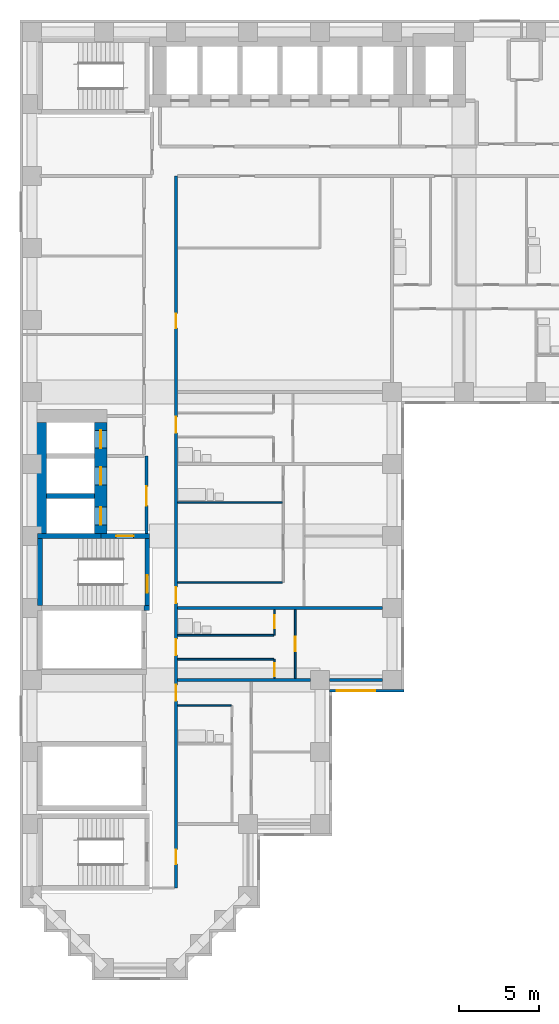
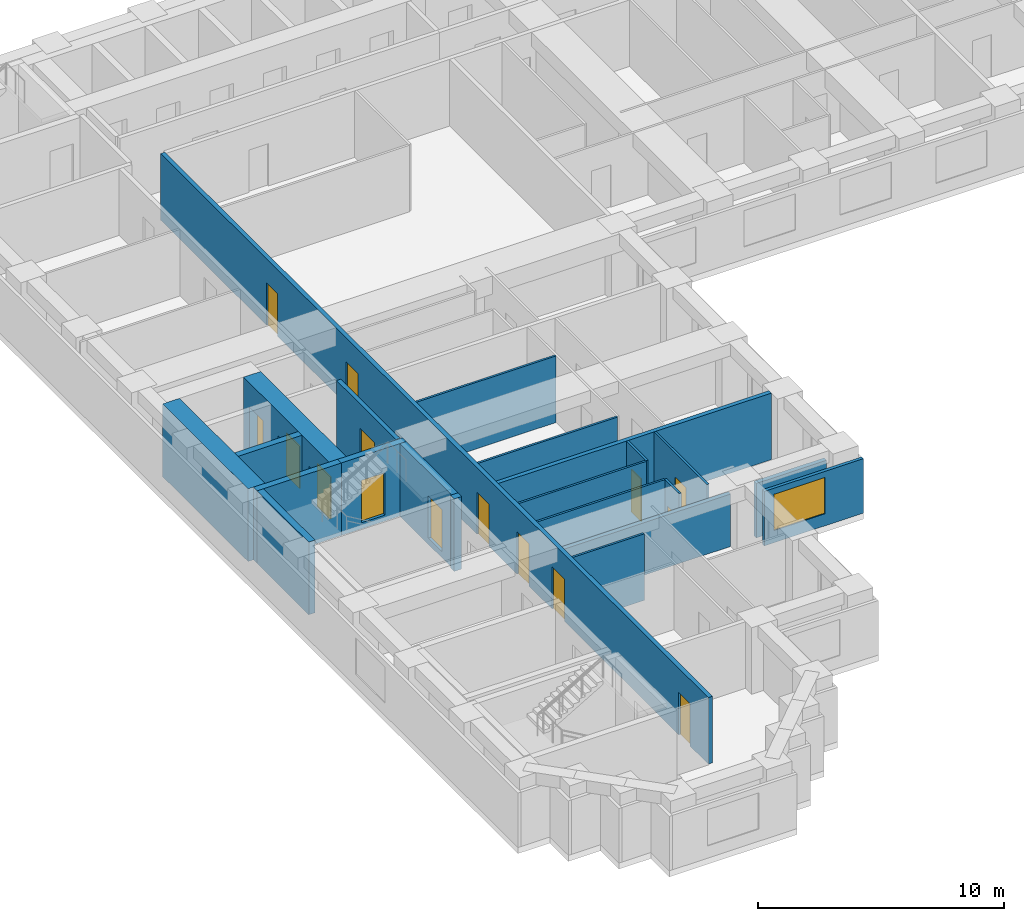
# One storey, part 3 of 12: 22 walls, 15 doors, 1 window, 16 openings.
"""IFC4 building model written with IfcOpenShell, lengths in metres."""

from ifc_helpers import new_model, si_unit, direction, frame, frame_2d, origin, place, context, subcontext, project, spatial, rectangle, extrude, material, layer, layer_set, type_object, element, fill, save


model = new_model("IFC4")

# Units and contexts
model_context = context("Model", 3, precision=1e-05, world=origin(), true_north=direction((0.0, 1.0)))
body_context = subcontext(model_context, "Body", "Model", "MODEL_VIEW")
ifc_project = project(units=[si_unit("LENGTHUNIT", "METRE"), si_unit("AREAUNIT", "SQUARE_METRE"), si_unit("VOLUMEUNIT", "CUBIC_METRE"), si_unit("PLANEANGLEUNIT", "RADIAN"), si_unit("MASSUNIT", "GRAM", prefix="KILO")], contexts=[model_context])

# Site, building, storey
site_placement = place(None, origin())
site = spatial("IfcSite", under=ifc_project, at=site_placement, CompositionType="ELEMENT")
building_placement = place(site_placement, origin())
building = spatial("IfcBuilding", under=site, at=building_placement, Name="Firuza Court", CompositionType="ELEMENT")
storey_placement = place(building_placement, frame((0.0, 0.0, 54.199951171875)))
storey = spatial("IfcBuildingStorey", under=building, at=storey_placement, Name="L12", CompositionType="ELEMENT", Elevation=54.199951171875)

# Walls
ifc_material_1 = material(Name="Moisture-resistant gypsum board partition")
ifc_layer_1 = layer(ifc_material_1, 0.10009765625)
ifc_layer_set_1 = layer_set([ifc_layer_1], Name="Moisture-resistant gypsum board partition")
wall_type_1 = type_object("IfcWallType", Name="Bathroom partition 100", PredefinedType="PLUMBINGWALL", material=ifc_layer_set_1)
wall_1_placement = place(storey_placement, frame((9.10009765625, 16.39990234375, 0.0), z_axis=(0.0, 0.0, 1.0), x_axis=(1.0, 0.0, 0.0)))
element("IfcWall", 1, at=wall_1_placement, inside=storey, type_object=wall_type_1, Name="Bathroom partition 100 L12", PredefinedType="PLUMBINGWALL", context=body_context, shape_type="SweptSolid", body=[
    extrude(rectangle(XDim=3.349853515625, YDim=0.10009765625, at=frame_2d((1.6748046875, 0.0))), origin(), (0.0, 0.0, 1.0), 3.300048828125),
])
wall_2_placement = place(storey_placement, frame((9.10009765625, 20.800048828125, 0.0), z_axis=(0.0, 0.0, 1.0), x_axis=(1.0, 0.0, 0.0)))
element("IfcWall", 2, at=wall_2_placement, inside=storey, type_object=wall_type_1, Name="Bathroom partition 100 L12", PredefinedType="PLUMBINGWALL", context=body_context, shape_type="SweptSolid", body=[
    extrude(rectangle(XDim=6.0, YDim=0.10009765625, at=frame_2d((3.0, 0.0))), origin(), (0.0, 0.0, 1.0), 3.300048828125),
])
wall_3_placement = place(storey_placement, frame((9.10009765625, 29.10009765625, 0.0), z_axis=(0.0, 0.0, 1.0), x_axis=(1.0, 0.0, 0.0)))
element("IfcWall", 3, at=wall_3_placement, inside=storey, type_object=wall_type_1, Name="Bathroom partition 100 L12", PredefinedType="PLUMBINGWALL", context=body_context, shape_type="SweptSolid", body=[
    extrude(rectangle(XDim=6.5498046875, YDim=0.10009765625, at=frame_2d((3.27490234375, 0.0))), origin(), (0.0, 0.0, 1.0), 3.300048828125),
])
ifc_material_2 = material(Name="Concrete C60/75", Category="concrete")
ifc_layer_2 = layer(ifc_material_2, 0.300048828125)
ifc_layer_set_2 = layer_set([ifc_layer_2], Name="Concrete C60/75")
wall_type_2 = type_object("IfcWallType", Name="Core wall 300 C60/75", PredefinedType="SHEAR", material=ifc_layer_set_2)
wall_4_placement = place(storey_placement, frame((0.35009765625, 27.0, -0.300048828125), z_axis=(0.0, 0.0, 1.0), x_axis=(1.0, 0.0, 0.0)))
element("IfcWall", 4, at=wall_4_placement, inside=storey, type_object=wall_type_2, Name="Core wall lift shaft L12", PredefinedType="SHEAR", context=body_context, shape_type="SweptSolid", body=[
    extrude(rectangle(XDim=3.949951171875, YDim=0.300048828125, at=frame_2d((1.97509765625, 0.0))), origin(), (0.0, 0.0, 1.0), 3.60009765625),
])
wall_5_placement = place(storey_placement, frame((0.5, 22.64990234375, -0.300048828125), z_axis=(0.0, 0.0, 1.0), x_axis=(0.0, 1.0, 0.0)))
element("IfcWall", 5, at=wall_5_placement, inside=storey, type_object=wall_type_2, Name="Core wall stair L12", PredefinedType="SHEAR", context=body_context, shape_type="SweptSolid", body=[
    extrude(rectangle(XDim=4.2001953125, YDim=0.300048828125, at=frame_2d((2.10009765625, 0.0))), origin(), (0.0, 0.0, 1.0), 3.60009765625),
])
wall_6_placement = place(storey_placement, frame((0.89990234375, 29.5, -0.300048828125), z_axis=(0.0, 0.0, 1.0), x_axis=(1.0, 0.0, 0.0)))
element("IfcWall", 6, at=wall_6_placement, inside=storey, type_object=wall_type_2, Name="Core wall lift shaft L12", PredefinedType="SHEAR", context=body_context, shape_type="SweptSolid", body=[
    extrude(rectangle(XDim=3.0, YDim=0.300048828125, at=frame_2d((1.5, 0.0))), origin(), (0.0, 0.0, 1.0), 3.60009765625),
])

# Wall, opening, door
wall_7_placement = place(storey_placement, frame((4.300048828125, 27.0, -0.300048828125), z_axis=(0.0, 0.0, 1.0), x_axis=(1.0, 0.0, 0.0)))
wall_7 = element("IfcWall", 7, at=wall_7_placement, inside=storey, type_object=wall_type_2, Name="Core wall stair L12", PredefinedType="SHEAR", context=body_context, shape_type="SweptSolid", body=[
    extrude(rectangle(XDim=3.050048828125, YDim=0.300048828125, at=frame_2d((1.52490234375, 0.0))), origin(), (0.0, 0.0, 1.0), 3.60009765625),
])
opening_1_placement = place(wall_7_placement, frame((0.949951171875, 0.0, 0.300048828125)))
opening_1 = element("IfcOpeningElement", 8, at=opening_1_placement, cuts=wall_7, Name="Opening D12014", PredefinedType="OPENING", context=body_context, shape_type="SweptSolid", body=[
    extrude(rectangle(XDim=1.10009765625, YDim=2.10009765625, at=frame_2d((0.550048828125, 1.050048828125))), frame((0.0, 0.162109375, 0.0), z_axis=(0.0, -1.0, 0.0), x_axis=(1.0, 0.0, 0.0)), (0.0, 0.0, 1.0), 0.323974609375),
])
ifc_material_3 = material(Name="Timber door leaf in hardwood frame", Category="wood")
door_type_1 = type_object("IfcDoorType", Name="Stair door 1100", OperationType="SINGLE_SWING_LEFT", PredefinedType="DOOR", material=ifc_material_3)
door_1_placement = place(opening_1_placement, frame((1.10009765625, 0.0, 0.0), z_axis=(0.0, 0.0, 1.0), x_axis=(-1.0, 0.0, 0.0)))
door_1 = element("IfcDoor", 9, at=door_1_placement, inside=storey, type_object=door_type_1, Name="Fire-fighting lobby door", OperationType="SINGLE_SWING_LEFT", OverallHeight=2.10009765625, OverallWidth=1.10009765625, PredefinedType="DOOR", context=body_context, shape_type="SweptSolid", body=[
    extrude(rectangle(XDim=1.10009765625, YDim=2.10009765625, at=frame_2d((0.550048828125, 1.050048828125))), frame((0.0, 0.02490234375, 0.0), z_axis=(0.0, -1.0, 0.0), x_axis=(1.0, 0.0, 0.0)), (0.0, 0.0, 1.0), 0.050048828125),
])
fill(opening_1, door_1)

# Wall
wall_8_placement = place(storey_placement, frame((7.0, 22.5, -0.300048828125), z_axis=(0.0, 0.0, 1.0), x_axis=(1.0, 0.0, 0.0)))
element("IfcWall", 10, at=wall_8_placement, inside=storey, type_object=wall_type_2, Name="Core wall stair L12", PredefinedType="SHEAR", context=body_context, shape_type="SweptSolid", body=[
    extrude(rectangle(XDim=0.35009765625, YDim=0.300048828125, at=frame_2d((0.175048828125, 0.0))), origin(), (0.0, 0.0, 1.0), 3.60009765625),
])

# Wall, opening, door
wall_9_placement = place(storey_placement, frame((7.199951171875, 22.64990234375, -0.300048828125), z_axis=(0.0, 0.0, 1.0), x_axis=(0.0, 1.0, 0.0)))
wall_9 = element("IfcWall", 11, at=wall_9_placement, inside=storey, type_object=wall_type_2, Name="Core wall stair L12", PredefinedType="SHEAR", context=body_context, shape_type="SweptSolid", body=[
    extrude(rectangle(XDim=4.2001953125, YDim=0.300048828125, at=frame_2d((2.10009765625, 0.0))), origin(), (0.0, 0.0, 1.0), 3.60009765625),
])
opening_2_placement = place(wall_9_placement, frame((0.800048828125, 0.0, 0.300048828125)))
opening_2 = element("IfcOpeningElement", 12, at=opening_2_placement, cuts=wall_9, Name="Opening D12015", PredefinedType="OPENING", context=body_context, shape_type="SweptSolid", body=[
    extrude(rectangle(XDim=1.10009765625, YDim=2.10009765625, at=frame_2d((0.550048828125, 1.050048828125))), frame((0.0, 0.162109375, 0.0), z_axis=(0.0, -1.0, 0.0), x_axis=(1.0, 0.0, 0.0)), (0.0, 0.0, 1.0), 0.323974609375),
])
door_2_placement = place(opening_2_placement, origin())
door_2 = element("IfcDoor", 13, at=door_2_placement, inside=storey, type_object=door_type_1, Name="Stair door S2", OperationType="SINGLE_SWING_LEFT", OverallHeight=2.10009765625, OverallWidth=1.10009765625, PredefinedType="DOOR", context=body_context, shape_type="SweptSolid", body=[
    extrude(rectangle(XDim=1.10009765625, YDim=2.10009765625, at=frame_2d((0.550048828125, 1.050048828125))), frame((0.0, 0.02490234375, 0.0), z_axis=(0.0, -1.0, 0.0), x_axis=(1.0, 0.0, 0.0)), (0.0, 0.0, 1.0), 0.050048828125),
])
fill(opening_2, door_2)

# Wall
ifc_layer_3 = layer(ifc_material_2, 0.800048828125)
ifc_layer_set_3 = layer_set([ifc_layer_3], Name="Concrete C60/75")
wall_type_3 = type_object("IfcWallType", Name="Core wall 800 C60/75", PredefinedType="SHEAR", material=ifc_layer_set_3)
wall_10_placement = place(storey_placement, frame((0.5, 27.14990234375, -0.300048828125), z_axis=(0.0, 0.0, 1.0), x_axis=(0.0, 1.0, 0.0)))
element("IfcWall", 14, at=wall_10_placement, inside=storey, type_object=wall_type_3, Name="Core wall lift shaft L12", PredefinedType="SHEAR", context=body_context, shape_type="SweptSolid", body=[
    extrude(rectangle(XDim=6.9501953125, YDim=0.800048828125, at=frame_2d((3.47509765625, 0.0))), origin(), (0.0, 0.0, 1.0), 3.60009765625),
])

# Wall, openings, doors
wall_11_placement = place(storey_placement, frame((4.300048828125, 27.14990234375, -0.300048828125), z_axis=(0.0, 0.0, 1.0), x_axis=(0.0, 1.0, 0.0)))
wall_11 = element("IfcWall", 15, at=wall_11_placement, inside=storey, type_object=wall_type_3, Name="Core wall lift shaft L12", PredefinedType="SHEAR", context=body_context, shape_type="SweptSolid", body=[
    extrude(rectangle(XDim=6.9501953125, YDim=0.800048828125, at=frame_2d((3.47509765625, 0.0))), origin(), (0.0, 0.0, 1.0), 3.60009765625),
])
opening_3_placement = place(wall_11_placement, frame((3.050048828125, 0.0, 0.300048828125)))
opening_3 = element("IfcOpeningElement", 16, at=opening_3_placement, cuts=wall_11, Name="Opening LD-FL1-12", PredefinedType="OPENING", context=body_context, shape_type="SweptSolid", body=[
    extrude(rectangle(XDim=1.10009765625, YDim=2.10009765625, at=frame_2d((0.550048828125, 1.050048828125))), frame((0.0, 0.412109375, 0.0), z_axis=(0.0, -1.0, 0.0), x_axis=(1.0, 0.0, 0.0)), (0.0, 0.0, 1.0), 0.823974609375),
])
opening_4_placement = place(wall_11_placement, frame((0.550048828125, 0.0, 0.300048828125)))
opening_4 = element("IfcOpeningElement", 17, at=opening_4_placement, cuts=wall_11, Name="Opening LD-FL2-12", PredefinedType="OPENING", context=body_context, shape_type="SweptSolid", body=[
    extrude(rectangle(XDim=1.10009765625, YDim=2.10009765625, at=frame_2d((0.550048828125, 1.050048828125))), frame((0.0, 0.412109375, 0.0), z_axis=(0.0, -1.0, 0.0), x_axis=(1.0, 0.0, 0.0)), (0.0, 0.0, 1.0), 0.823974609375),
])
opening_5_placement = place(wall_11_placement, frame((5.35009765625, 0.0, 0.300048828125)))
opening_5 = element("IfcOpeningElement", 18, at=opening_5_placement, cuts=wall_11, Name="Opening LD-SL1-12", PredefinedType="OPENING", context=body_context, shape_type="SweptSolid", body=[
    extrude(rectangle(XDim=1.10009765625, YDim=2.10009765625, at=frame_2d((0.550048828125, 1.050048828125))), frame((0.0, 0.412109375, 0.0), z_axis=(0.0, -1.0, 0.0), x_axis=(1.0, 0.0, 0.0)), (0.0, 0.0, 1.0), 0.823974609375),
])
ifc_material_4 = material(Name="Stainless steel 1.4301 door leaf", Category="steel")
door_type_2 = type_object("IfcDoorType", Name="Lift landing door 1100", OperationType="SLIDING_TO_LEFT", PredefinedType="DOOR", material=ifc_material_4)
door_3_placement = place(opening_3_placement, origin())
door_3 = element("IfcDoor", 19, at=door_3_placement, inside=storey, type_object=door_type_2, Name="Landing door FL1", OperationType="SLIDING_TO_LEFT", OverallHeight=2.10009765625, OverallWidth=1.10009765625, PredefinedType="DOOR", context=body_context, shape_type="SweptSolid", body=[
    extrude(rectangle(XDim=1.10009765625, YDim=2.10009765625, at=frame_2d((0.550048828125, 1.050048828125))), frame((0.0, 0.02490234375, 0.0), z_axis=(0.0, -1.0, 0.0), x_axis=(1.0, 0.0, 0.0)), (0.0, 0.0, 1.0), 0.050048828125),
])
fill(opening_3, door_3)
door_4_placement = place(opening_4_placement, origin())
door_4 = element("IfcDoor", 20, at=door_4_placement, inside=storey, type_object=door_type_2, Name="Landing door FL2", OperationType="SLIDING_TO_LEFT", OverallHeight=2.10009765625, OverallWidth=1.10009765625, PredefinedType="DOOR", context=body_context, shape_type="SweptSolid", body=[
    extrude(rectangle(XDim=1.10009765625, YDim=2.10009765625, at=frame_2d((0.550048828125, 1.050048828125))), frame((0.0, 0.02490234375, 0.0), z_axis=(0.0, -1.0, 0.0), x_axis=(1.0, 0.0, 0.0)), (0.0, 0.0, 1.0), 0.050048828125),
])
fill(opening_4, door_4)
door_5_placement = place(opening_5_placement, origin())
door_5 = element("IfcDoor", 21, at=door_5_placement, inside=storey, type_object=door_type_2, Name="Landing door SL1", OperationType="SLIDING_TO_LEFT", OverallHeight=2.10009765625, OverallWidth=1.10009765625, PredefinedType="DOOR", context=body_context, shape_type="SweptSolid", body=[
    extrude(rectangle(XDim=1.10009765625, YDim=2.10009765625, at=frame_2d((0.550048828125, 1.050048828125))), frame((0.0, 0.02490234375, 0.0), z_axis=(0.0, -1.0, 0.0), x_axis=(1.0, 0.0, 0.0)), (0.0, 0.0, 1.0), 0.050048828125),
])
fill(opening_5, door_5)

ifc_material_5 = material(Name="Blockwork, plastered both sides", Category="masonry")
ifc_layer_4 = layer(ifc_material_5, 0.199951171875)
ifc_layer_set_4 = layer_set([ifc_layer_4], Name="Blockwork, plastered both sides")
wall_type_4 = type_object("IfcWallType", Name="Corridor wall 200", PredefinedType="PARTITIONING", material=ifc_layer_set_4)
wall_12_placement = place(storey_placement, frame((9.0, 5.0, 0.0), z_axis=(0.0, 0.0, 1.0), x_axis=(0.0, 1.0, 0.0)))
wall_12 = element("IfcWall", 22, at=wall_12_placement, inside=storey, type_object=wall_type_4, Name="Corridor wall 200 L12", PredefinedType="PARTITIONING", context=body_context, shape_type="SweptSolid", body=[
    extrude(rectangle(XDim=44.5, YDim=0.199951171875, at=frame_2d((22.25, 0.0))), origin(), (0.0, 0.0, 1.0), 3.300048828125),
])
opening_6_placement = place(wall_12_placement, frame((28.449951171875, 0.0, 0.0)))
opening_6 = element("IfcOpeningElement", 23, at=opening_6_placement, cuts=wall_12, Name="Opening D12019", PredefinedType="OPENING", context=body_context, shape_type="SweptSolid", body=[
    extrude(rectangle(XDim=1.0, YDim=2.10009765625, at=frame_2d((0.5, 1.050048828125))), frame((0.0, 0.11181640625, 0.0), z_axis=(0.0, -1.0, 0.0), x_axis=(1.0, 0.0, 0.0)), (0.0, 0.0, 1.0), 0.223876953125),
])
opening_7_placement = place(wall_12_placement, frame((17.800048828125, 0.0, 0.0)))
opening_7 = element("IfcOpeningElement", 24, at=opening_7_placement, cuts=wall_12, Name="Opening D12020", PredefinedType="OPENING", context=body_context, shape_type="SweptSolid", body=[
    extrude(rectangle(XDim=1.0, YDim=2.10009765625, at=frame_2d((0.5, 1.050048828125))), frame((0.0, 0.11181640625, 0.0), z_axis=(0.0, -1.0, 0.0), x_axis=(1.0, 0.0, 0.0)), (0.0, 0.0, 1.0), 0.223876953125),
])
opening_8_placement = place(wall_12_placement, frame((14.550048828125, 0.0, 0.0)))
opening_8 = element("IfcOpeningElement", 25, at=opening_8_placement, cuts=wall_12, Name="Opening D12021", PredefinedType="OPENING", context=body_context, shape_type="SweptSolid", body=[
    extrude(rectangle(XDim=1.0, YDim=2.10009765625, at=frame_2d((0.5, 1.050048828125))), frame((0.0, 0.11181640625, 0.0), z_axis=(0.0, -1.0, 0.0), x_axis=(1.0, 0.0, 0.0)), (0.0, 0.0, 1.0), 0.223876953125),
])
opening_9_placement = place(wall_12_placement, frame((11.699951171875, 0.0, 0.0)))
opening_9 = element("IfcOpeningElement", 26, at=opening_9_placement, cuts=wall_12, Name="Opening D12022", PredefinedType="OPENING", context=body_context, shape_type="SweptSolid", body=[
    extrude(rectangle(XDim=1.0, YDim=2.10009765625, at=frame_2d((0.5, 1.050048828125))), frame((0.0, 0.11181640625, 0.0), z_axis=(0.0, -1.0, 0.0), x_axis=(1.0, 0.0, 0.0)), (0.0, 0.0, 1.0), 0.223876953125),
])
opening_10_placement = place(wall_12_placement, frame((35.0, 0.0, 0.0)))
opening_10 = element("IfcOpeningElement", 27, at=opening_10_placement, cuts=wall_12, Name="Opening D12023", PredefinedType="OPENING", context=body_context, shape_type="SweptSolid", body=[
    extrude(rectangle(XDim=0.89990234375, YDim=2.10009765625, at=frame_2d((0.449951171875, 1.050048828125))), frame((0.0, 0.11181640625, 0.0), z_axis=(0.0, -1.0, 0.0), x_axis=(1.0, 0.0, 0.0)), (0.0, 0.0, 1.0), 0.223876953125),
])
opening_11_placement = place(wall_12_placement, frame((1.5, 0.0, 0.0)))
opening_11 = element("IfcOpeningElement", 28, at=opening_11_placement, cuts=wall_12, Name="Opening D12024", PredefinedType="OPENING", context=body_context, shape_type="SweptSolid", body=[
    extrude(rectangle(XDim=0.89990234375, YDim=2.10009765625, at=frame_2d((0.449951171875, 1.050048828125))), frame((0.0, 0.11181640625, 0.0), z_axis=(0.0, -1.0, 0.0), x_axis=(1.0, 0.0, 0.0)), (0.0, 0.0, 1.0), 0.223876953125),
])
ifc_material_6 = material(Name="Timber door leaf in hardwood frame", Category="wood")
door_type_3 = type_object("IfcDoorType", Name="Flat entrance door 1000", OperationType="SINGLE_SWING_LEFT", PredefinedType="DOOR", material=ifc_material_6)
door_6_placement = place(opening_6_placement, origin())
door_6 = element("IfcDoor", 29, at=door_6_placement, inside=storey, type_object=door_type_3, Name="Flat entrance door", OperationType="SINGLE_SWING_LEFT", OverallHeight=2.10009765625, OverallWidth=1.0, PredefinedType="DOOR", context=body_context, shape_type="SweptSolid", body=[
    extrude(rectangle(XDim=1.0, YDim=2.10009765625, at=frame_2d((0.5, 1.050048828125))), frame((0.0, 0.02490234375, 0.0), z_axis=(0.0, -1.0, 0.0), x_axis=(1.0, 0.0, 0.0)), (0.0, 0.0, 1.0), 0.050048828125),
])
fill(opening_6, door_6)
door_7_placement = place(opening_7_placement, origin())
door_7 = element("IfcDoor", 30, at=door_7_placement, inside=storey, type_object=door_type_3, Name="Flat entrance door", OperationType="SINGLE_SWING_LEFT", OverallHeight=2.10009765625, OverallWidth=1.0, PredefinedType="DOOR", context=body_context, shape_type="SweptSolid", body=[
    extrude(rectangle(XDim=1.0, YDim=2.10009765625, at=frame_2d((0.5, 1.050048828125))), frame((0.0, 0.02490234375, 0.0), z_axis=(0.0, -1.0, 0.0), x_axis=(1.0, 0.0, 0.0)), (0.0, 0.0, 1.0), 0.050048828125),
])
fill(opening_7, door_7)
door_8_placement = place(opening_8_placement, origin())
door_8 = element("IfcDoor", 31, at=door_8_placement, inside=storey, type_object=door_type_3, Name="Flat entrance door", OperationType="SINGLE_SWING_LEFT", OverallHeight=2.10009765625, OverallWidth=1.0, PredefinedType="DOOR", context=body_context, shape_type="SweptSolid", body=[
    extrude(rectangle(XDim=1.0, YDim=2.10009765625, at=frame_2d((0.5, 1.050048828125))), frame((0.0, 0.02490234375, 0.0), z_axis=(0.0, -1.0, 0.0), x_axis=(1.0, 0.0, 0.0)), (0.0, 0.0, 1.0), 0.050048828125),
])
fill(opening_8, door_8)
door_9_placement = place(opening_9_placement, origin())
door_9 = element("IfcDoor", 32, at=door_9_placement, inside=storey, type_object=door_type_3, Name="Flat entrance door", OperationType="SINGLE_SWING_LEFT", OverallHeight=2.10009765625, OverallWidth=1.0, PredefinedType="DOOR", context=body_context, shape_type="SweptSolid", body=[
    extrude(rectangle(XDim=1.0, YDim=2.10009765625, at=frame_2d((0.5, 1.050048828125))), frame((0.0, 0.02490234375, 0.0), z_axis=(0.0, -1.0, 0.0), x_axis=(1.0, 0.0, 0.0)), (0.0, 0.0, 1.0), 0.050048828125),
])
fill(opening_9, door_9)
ifc_material_7 = material(Name="Timber door leaf in hardwood frame", Category="wood")
door_type_4 = type_object("IfcDoorType", Name="Room door 900 EI 30", OperationType="SINGLE_SWING_LEFT", PredefinedType="DOOR", material=ifc_material_7)
door_10_placement = place(opening_10_placement, origin())
door_10 = element("IfcDoor", 33, at=door_10_placement, inside=storey, type_object=door_type_4, Name="Yoga studio door", OperationType="SINGLE_SWING_LEFT", OverallHeight=2.10009765625, OverallWidth=0.89990234375, PredefinedType="DOOR", context=body_context, shape_type="SweptSolid", body=[
    extrude(rectangle(XDim=0.89990234375, YDim=2.10009765625, at=frame_2d((0.449951171875, 1.050048828125))), frame((0.0, 0.02490234375, 0.0), z_axis=(0.0, -1.0, 0.0), x_axis=(1.0, 0.0, 0.0)), (0.0, 0.0, 1.0), 0.050048828125),
])
fill(opening_10, door_10)
door_11_placement = place(opening_11_placement, origin())
door_11 = element("IfcDoor", 34, at=door_11_placement, inside=storey, type_object=door_type_4, Name="Yoga studio door", OperationType="SINGLE_SWING_LEFT", OverallHeight=2.10009765625, OverallWidth=0.89990234375, PredefinedType="DOOR", context=body_context, shape_type="SweptSolid", body=[
    extrude(rectangle(XDim=0.89990234375, YDim=2.10009765625, at=frame_2d((0.449951171875, 1.050048828125))), frame((0.0, 0.02490234375, 0.0), z_axis=(0.0, -1.0, 0.0), x_axis=(1.0, 0.0, 0.0)), (0.0, 0.0, 1.0), 0.050048828125),
])
fill(opening_11, door_11)

# Wall, opening, door
ifc_material_8 = material(Name="Timber stud partition, plasterboard both sides", Category="wood")
ifc_layer_5 = layer(ifc_material_8, 0.10009765625)
ifc_layer_set_5 = layer_set([ifc_layer_5], Name="Timber stud partition, plasterboard both sides")
wall_type_5 = type_object("IfcWallType", Name="Partition wall 100", PredefinedType="PARTITIONING", material=ifc_layer_set_5)
wall_13_placement = place(storey_placement, frame((15.14990234375, 18.10009765625, 0.0), z_axis=(0.0, 0.0, 1.0), x_axis=(0.0, 1.0, 0.0)))
wall_13 = element("IfcWall", 35, at=wall_13_placement, inside=storey, type_object=wall_type_5, Name="Partition wall 100 L12", PredefinedType="PARTITIONING", context=body_context, shape_type="SweptSolid", body=[
    extrude(rectangle(XDim=1.199951171875, YDim=0.10009765625, at=frame_2d((0.60009765625, 0.0))), origin(), (0.0, 0.0, 1.0), 3.300048828125),
])
opening_12_placement = place(wall_13_placement, frame((0.14990234375, 0.0, 0.0)))
opening_12 = element("IfcOpeningElement", 36, at=opening_12_placement, cuts=wall_13, Name="Opening D12030", PredefinedType="OPENING", context=body_context, shape_type="SweptSolid", body=[
    extrude(rectangle(XDim=0.800048828125, YDim=2.10009765625, at=frame_2d((0.39990234375, 1.050048828125))), frame((0.0, 0.06201171875, 0.0), z_axis=(0.0, -1.0, 0.0), x_axis=(1.0, 0.0, 0.0)), (0.0, 0.0, 1.0), 0.1240234375),
])
ifc_material_9 = material(Name="Timber door leaf in hardwood frame", Category="wood")
door_type_5 = type_object("IfcDoorType", Name="Room door 800", OperationType="SINGLE_SWING_LEFT", PredefinedType="DOOR", material=ifc_material_9)
door_12_placement = place(opening_12_placement, origin())
door_12 = element("IfcDoor", 37, at=door_12_placement, inside=storey, type_object=door_type_5, Name="Kitchen door", OperationType="SINGLE_SWING_LEFT", OverallHeight=2.10009765625, OverallWidth=0.800048828125, PredefinedType="DOOR", context=body_context, shape_type="SweptSolid", body=[
    extrude(rectangle(XDim=0.800048828125, YDim=2.10009765625, at=frame_2d((0.39990234375, 1.050048828125))), frame((0.0, 0.02490234375, 0.0), z_axis=(0.0, -1.0, 0.0), x_axis=(1.0, 0.0, 0.0)), (0.0, 0.0, 1.0), 0.050048828125),
])
fill(opening_12, door_12)

wall_14_placement = place(storey_placement, frame((16.449951171875, 18.10009765625, 0.0), z_axis=(0.0, 0.0, 1.0), x_axis=(0.0, 1.0, 0.0)))
wall_14 = element("IfcWall", 38, at=wall_14_placement, inside=storey, type_object=wall_type_5, Name="Partition wall 100 L12", PredefinedType="PARTITIONING", context=body_context, shape_type="SweptSolid", body=[
    extrude(rectangle(XDim=4.2998046875, YDim=0.10009765625, at=frame_2d((2.14990234375, 0.0))), origin(), (0.0, 0.0, 1.0), 3.300048828125),
])
opening_13_placement = place(wall_14_placement, frame((1.699951171875, 0.0, 0.0)))
opening_13 = element("IfcOpeningElement", 39, at=opening_13_placement, cuts=wall_14, Name="Opening D12031", PredefinedType="OPENING", context=body_context, shape_type="SweptSolid", body=[
    extrude(rectangle(XDim=0.89990234375, YDim=2.10009765625, at=frame_2d((0.449951171875, 1.050048828125))), frame((0.0, 0.06201171875, 0.0), z_axis=(0.0, -1.0, 0.0), x_axis=(1.0, 0.0, 0.0)), (0.0, 0.0, 1.0), 0.1240234375),
])
ifc_material_10 = material(Name="Timber door leaf in hardwood frame", Category="wood")
door_type_6 = type_object("IfcDoorType", Name="Room door 900", OperationType="SINGLE_SWING_LEFT", PredefinedType="DOOR", material=ifc_material_10)
door_13_placement = place(opening_13_placement, frame((0.89990234375, 0.0, 0.0), z_axis=(0.0, 0.0, 1.0), x_axis=(-1.0, 0.0, 0.0)))
door_13 = element("IfcDoor", 40, at=door_13_placement, inside=storey, type_object=door_type_6, Name="Studio room door", OperationType="SINGLE_SWING_RIGHT", OverallHeight=2.10009765625, OverallWidth=0.89990234375, PredefinedType="DOOR", context=body_context, shape_type="SweptSolid", body=[
    extrude(rectangle(XDim=0.89990234375, YDim=2.10009765625, at=frame_2d((0.449951171875, 1.050048828125))), frame((0.0, 0.02490234375, 0.0), z_axis=(0.0, -1.0, 0.0), x_axis=(1.0, 0.0, 0.0)), (0.0, 0.0, 1.0), 0.050048828125),
])
fill(opening_13, door_13)

# Wall
wall_15_placement = place(storey_placement, frame((9.10009765625, 19.300048828125, 0.0), z_axis=(0.0, 0.0, 1.0), x_axis=(1.0, 0.0, 0.0)))
element("IfcWall", 41, at=wall_15_placement, inside=storey, type_object=wall_type_5, Name="Partition wall 100 L12", PredefinedType="PARTITIONING", context=body_context, shape_type="SweptSolid", body=[
    extrude(rectangle(XDim=6.0, YDim=0.10009765625, at=frame_2d((3.0, 0.0))), origin(), (0.0, 0.0, 1.0), 3.300048828125),
])

# Wall, opening, door
wall_16_placement = place(storey_placement, frame((15.14990234375, 20.800048828125, 0.0), z_axis=(0.0, 0.0, 1.0), x_axis=(0.0, 1.0, 0.0)))
wall_16 = element("IfcWall", 42, at=wall_16_placement, inside=storey, type_object=wall_type_5, Name="Partition wall 100 L12", PredefinedType="PARTITIONING", context=body_context, shape_type="SweptSolid", body=[
    extrude(rectangle(XDim=1.599853515625, YDim=0.10009765625, at=frame_2d((0.7998046875, 0.0))), origin(), (0.0, 0.0, 1.0), 3.300048828125),
])
opening_14_placement = place(wall_16_placement, frame((0.449951171875, 0.0, 0.0)))
opening_14 = element("IfcOpeningElement", 43, at=opening_14_placement, cuts=wall_16, Name="Opening D12032", PredefinedType="OPENING", context=body_context, shape_type="SweptSolid", body=[
    extrude(rectangle(XDim=0.800048828125, YDim=2.10009765625, at=frame_2d((0.39990234375, 1.050048828125))), frame((0.0, 0.06201171875, 0.0), z_axis=(0.0, -1.0, 0.0), x_axis=(1.0, 0.0, 0.0)), (0.0, 0.0, 1.0), 0.1240234375),
])
ifc_material_11 = material(Name="Timber door leaf in hardwood frame", Category="wood")
door_type_7 = type_object("IfcDoorType", Name="Bathroom door 800", OperationType="SINGLE_SWING_LEFT", PredefinedType="DOOR", material=ifc_material_11)
door_14_placement = place(opening_14_placement, origin())
door_14 = element("IfcDoor", 44, at=door_14_placement, inside=storey, type_object=door_type_7, Name="Bathroom door", OperationType="SINGLE_SWING_LEFT", OverallHeight=2.10009765625, OverallWidth=0.800048828125, PredefinedType="DOOR", context=body_context, shape_type="SweptSolid", body=[
    extrude(rectangle(XDim=0.800048828125, YDim=2.10009765625, at=frame_2d((0.39990234375, 1.050048828125))), frame((0.0, 0.02490234375, 0.0), z_axis=(0.0, -1.0, 0.0), x_axis=(1.0, 0.0, 0.0)), (0.0, 0.0, 1.0), 0.050048828125),
])
fill(opening_14, door_14)

# Walls
wall_17_placement = place(storey_placement, frame((9.10009765625, 24.10009765625, 0.0), z_axis=(0.0, 0.0, 1.0), x_axis=(1.0, 0.0, 0.0)))
element("IfcWall", 45, at=wall_17_placement, inside=storey, type_object=wall_type_5, Name="Partition wall 100 L12", PredefinedType="PARTITIONING", context=body_context, shape_type="SweptSolid", body=[
    extrude(rectangle(XDim=6.5498046875, YDim=0.10009765625, at=frame_2d((3.27490234375, 0.0))), origin(), (0.0, 0.0, 1.0), 3.300048828125),
])
ifc_layer_6 = layer(ifc_material_5, 0.199951171875)
ifc_layer_set_6 = layer_set([ifc_layer_6], Name="Blockwork, plastered both sides")
wall_type_6 = type_object("IfcWallType", Name="Party wall 200", PredefinedType="PARTITIONING", material=ifc_layer_set_6)
wall_18_placement = place(storey_placement, frame((9.10009765625, 18.0, 0.0), z_axis=(0.0, 0.0, 1.0), x_axis=(1.0, 0.0, 0.0)))
element("IfcWall", 46, at=wall_18_placement, inside=storey, type_object=wall_type_6, Name="Party wall 200 L12", PredefinedType="PARTITIONING", context=body_context, shape_type="SweptSolid", body=[
    extrude(rectangle(XDim=8.2998046875, YDim=0.199951171875, at=frame_2d((4.14990234375, 0.0))), origin(), (0.0, 0.0, 1.0), 2.60009765625),
])
wall_19_placement = place(storey_placement, frame((18.60009765625, 18.0, 0.0), z_axis=(0.0, 0.0, 1.0), x_axis=(1.0, 0.0, 0.0)))
element("IfcWall", 47, at=wall_19_placement, inside=storey, type_object=wall_type_6, Name="Party wall 200 L12", PredefinedType="PARTITIONING", context=body_context, shape_type="SweptSolid", body=[
    extrude(rectangle(XDim=3.2998046875, YDim=0.199951171875, at=frame_2d((1.64990234375, 0.0))), origin(), (0.0, 0.0, 1.0), 2.699951171875),
])
wall_20_placement = place(storey_placement, frame((9.10009765625, 22.5, 0.0), z_axis=(0.0, 0.0, 1.0), x_axis=(1.0, 0.0, 0.0)))
element("IfcWall", 48, at=wall_20_placement, inside=storey, type_object=wall_type_6, Name="Party wall 200 L12", PredefinedType="PARTITIONING", context=body_context, shape_type="SweptSolid", body=[
    extrude(rectangle(XDim=12.7998046875, YDim=0.199951171875, at=frame_2d((6.39990234375, 0.0))), origin(), (0.0, 0.0, 1.0), 3.300048828125),
])

# Wall, opening, window
ifc_material_12 = material(Name="Ceramic tile", Category="ceramic")
ifc_layer_7 = layer(ifc_material_12, 0.02001953125)
ifc_material_13 = material(Name="Mineral wool insulation", Category="insulation")
ifc_layer_8 = layer(ifc_material_13, 0.050048828125)
ifc_material_14 = material(Name="Concrete C40/50 precast", Category="concrete")
ifc_layer_9 = layer(ifc_material_14, 0.080078125)
ifc_layer_set_7 = layer_set([ifc_layer_7, ifc_layer_8, ifc_layer_9], Name="Concrete C40/50 precast")
wall_type_7 = type_object("IfcWallType", Name="Precast cladding wall with turquoise TILE PANEL face 150", PredefinedType="STANDARD", material=ifc_layer_set_7)
wall_21_placement = place(storey_placement, frame((18.60009765625, 17.324951171875, 0.0), z_axis=(0.0, 0.0, 1.0), x_axis=(1.0, 0.0, 0.0)))
wall_21 = element("IfcWall", 49, at=wall_21_placement, inside=storey, type_object=wall_type_7, Name="Facade wall L12 S", PredefinedType="STANDARD", context=body_context, shape_type="SweptSolid", body=[
    extrude(rectangle(XDim=4.64990234375, YDim=0.14990234375, at=frame_2d((2.324951171875, 0.0))), origin(), (0.0, 0.0, 1.0), 2.699951171875),
])
opening_15_placement = place(wall_21_placement, frame((0.449951171875, 0.0, 0.60009765625)))
opening_15 = element("IfcOpeningElement", 50, at=opening_15_placement, cuts=wall_21, Name="Opening W1", PredefinedType="OPENING", context=body_context, shape_type="SweptSolid", body=[
    extrude(rectangle(XDim=2.39990234375, YDim=1.800048828125, at=frame_2d((1.199951171875, 0.89990234375))), frame((0.0, 0.0869140625, 0.0), z_axis=(0.0, -1.0, 0.0), x_axis=(1.0, 0.0, 0.0)), (0.0, 0.0, 1.0), 0.173828125),
])
ifc_material_15 = material(Name="Aluminium frame, triple clear glazing", Category="aluminium")
window_type = type_object("IfcWindowType", Name="Window W1 2400 x 1800", PartitioningType="SINGLE_PANEL", PredefinedType="WINDOW", material=ifc_material_15)
window_placement = place(opening_15_placement, origin())
window = element("IfcWindow", 51, at=window_placement, inside=storey, type_object=window_type, Name="Window L12", OverallHeight=1.800048828125, OverallWidth=2.39990234375, PartitioningType="SINGLE_PANEL", PredefinedType="WINDOW", context=body_context, shape_type="SweptSolid", body=[
    extrude(rectangle(XDim=2.39990234375, YDim=1.800048828125, at=frame_2d((1.199951171875, 0.89990234375))), frame((0.0, 0.030029296875, 0.0), z_axis=(0.0, -1.0, 0.0), x_axis=(1.0, 0.0, 0.0)), (0.0, 0.0, 1.0), 0.06005859375),
])
fill(opening_15, window)

# Wall, opening, door
ifc_material_16 = material(Name="Blockwork, fire-rated", Category="masonry")
ifc_layer_10 = layer(ifc_material_16, 0.199951171875)
ifc_layer_set_8 = layer_set([ifc_layer_10], Name="Blockwork, fire-rated")
wall_type_8 = type_object("IfcWallType", Name="Shaft wall 200", PredefinedType="PARTITIONING", material=ifc_layer_set_8)
wall_22_placement = place(storey_placement, frame((7.14990234375, 27.169921875, 0.0), z_axis=(0.0, 0.0, 1.0), x_axis=(0.0, 1.0, 0.0)))
wall_22 = element("IfcWall", 52, at=wall_22_placement, inside=storey, type_object=wall_type_8, Name="Shaft wall 200 L12", PredefinedType="PARTITIONING", context=body_context, shape_type="SweptSolid", body=[
    extrude(rectangle(XDim=4.830078125, YDim=0.199951171875, at=frame_2d((2.4150390625, 0.0))), origin(), (0.0, 0.0, 1.0), 3.300048828125),
])
opening_16_placement = place(wall_22_placement, frame((1.72998046875, 0.0, 0.0)))
opening_16 = element("IfcOpeningElement", 53, at=opening_16_placement, cuts=wall_22, Name="Opening D12002", PredefinedType="OPENING", context=body_context, shape_type="SweptSolid", body=[
    extrude(rectangle(XDim=1.199951171875, YDim=2.10009765625, at=frame_2d((0.60009765625, 1.050048828125))), frame((0.0, 0.11181640625, 0.0), z_axis=(0.0, -1.0, 0.0), x_axis=(1.0, 0.0, 0.0)), (0.0, 0.0, 1.0), 0.223876953125),
])
ifc_material_17 = material(Name="Timber door leaf in hardwood frame", Category="wood")
door_type_8 = type_object("IfcDoorType", Name="Lobby door 1200", OperationType="SINGLE_SWING_LEFT", PredefinedType="DOOR", material=ifc_material_17)
door_15_placement = place(opening_16_placement, origin())
door_15 = element("IfcDoor", 54, at=door_15_placement, inside=storey, type_object=door_type_8, Name="Fire-fighting lobby door", OperationType="SINGLE_SWING_LEFT", OverallHeight=2.10009765625, OverallWidth=1.199951171875, PredefinedType="DOOR", context=body_context, shape_type="SweptSolid", body=[
    extrude(rectangle(XDim=1.199951171875, YDim=2.10009765625, at=frame_2d((0.60009765625, 1.050048828125))), frame((0.0, 0.02490234375, 0.0), z_axis=(0.0, -1.0, 0.0), x_axis=(1.0, 0.0, 0.0)), (0.0, 0.0, 1.0), 0.050048828125),
])
fill(opening_16, door_15)

save(model, "model.ifc")
